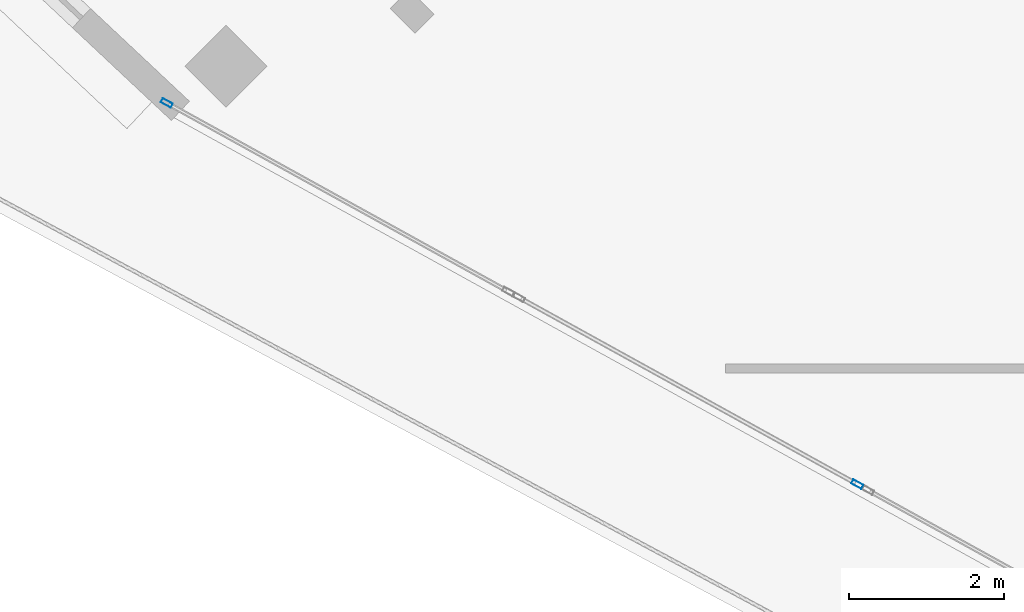
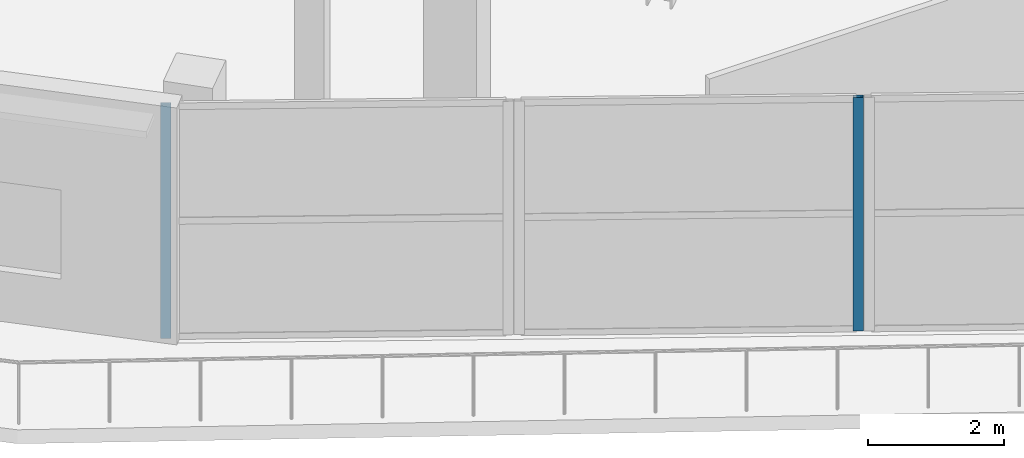
# One storey, part 16 of 107: 2 members, 2 elements without a shape of their own.
"""IFC4 building model written with IfcOpenShell, lengths in metres."""

from ifc_helpers import new_model, si_unit, direction, frame, origin, origin_2d, place, context, subcontext, project, spatial, hollow_rectangle, extrude, material, layer, layer_set, material_profile, profile_set, type_object, element, aggregate, save


model = new_model("IFC4")

# Units and contexts
model_context = context("Model", 3, precision=1e-05, world=origin(), true_north=direction((0.0, 1.0)))
body_context = subcontext(model_context, "Body", "Model", "MODEL_VIEW")
ifc_project = project(units=[si_unit("LENGTHUNIT", "METRE"), si_unit("AREAUNIT", "SQUARE_METRE"), si_unit("VOLUMEUNIT", "CUBIC_METRE"), si_unit("PLANEANGLEUNIT", "RADIAN"), si_unit("MASSUNIT", "GRAM", prefix="KILO")], contexts=[model_context])

# Site, building, storey
site_placement = place(None, origin())
site = spatial("IfcSite", under=ifc_project, at=site_placement, CompositionType="ELEMENT")
building_placement = place(site_placement, origin())
building = spatial("IfcBuilding", under=site, at=building_placement, Name="Kalgoora Escarpment Arena", CompositionType="ELEMENT")
storey_placement = place(building_placement, frame((0.0, 0.0, 5.39990234375)))
storey = spatial("IfcBuildingStorey", under=building, at=storey_placement, Name="L01", CompositionType="ELEMENT", Elevation=5.39990234375)

# Curtain wall, member
ifc_material_1 = material(Name=" Champagne anodised aluminium & double-glazed low-E", Category="aluminium")
ifc_layer_1 = layer(ifc_material_1, 0.154052734375)
ifc_layer_set_1 = layer_set([ifc_layer_1], Name="CW-UNIT-16")
curtain_wall_type_1 = type_object("IfcCurtainWallType", Name="CW-UNIT-16", PredefinedType="NOTDEFINED", material=ifc_layer_set_1)
curtain_wall_1_placement = place(storey_placement, origin())
curtain_wall_1 = element("IfcCurtainWall", 1, at=curtain_wall_1_placement, inside=storey, type_object=curtain_wall_type_1, Name="L01 unitised facade curtain wall 015", PredefinedType="NOTDEFINED")
ifc_material_2 = material(Name="Anodised aluminium 6063-T6", Category="aluminium")
ifc_material_profile = material_profile(ifc_material_2, hollow_rectangle(XDim=0.06005859375, YDim=0.14990234375, WallThickness=0.00341796875, at=origin_2d()))
ifc_profile_set = profile_set([ifc_material_profile], Name="Anodised aluminium 6063-T6")
member_type = type_object("IfcMemberType", Name="MEM-CW-MULL-150", PredefinedType="MULLION", material=ifc_profile_set)
member_1_placement = place(storey_placement, frame((39.87890625, 14.90478515625, 0.02001953125), z_axis=(0.0, 0.0, 1.0), x_axis=(-0.483332479669, -0.875436870424, 0.0)))
member_1 = element("IfcMember", 2, at=member_1_placement, type_object=member_type, Name="CW-16 mullion 1", PredefinedType="MULLION", context=body_context, shape_type="SweptSolid", body=[
    extrude(hollow_rectangle(XDim=0.06005859375, YDim=0.14990234375, WallThickness=0.00341796875, at=origin_2d()), origin(), (0.0, 0.0, 1.0), 4.190185546875),
])
aggregate(curtain_wall_1, [member_1])

ifc_material_3 = material(Name=" Champagne anodised aluminium & double-glazed low-E", Category="aluminium")
ifc_layer_2 = layer(ifc_material_3, 0.157958984375)
ifc_layer_set_2 = layer_set([ifc_layer_2], Name="CW-UNIT-17")
curtain_wall_type_2 = type_object("IfcCurtainWallType", Name="CW-UNIT-17", PredefinedType="NOTDEFINED", material=ifc_layer_set_2)
curtain_wall_2_placement = place(storey_placement, origin())
curtain_wall_2 = element("IfcCurtainWall", 3, at=curtain_wall_2_placement, inside=storey, type_object=curtain_wall_type_2, Name="L01 unitised facade curtain wall 016", PredefinedType="NOTDEFINED")
member_2_placement = place(storey_placement, frame((30.966064453125, 19.82568359375, 0.02001953125), z_axis=(0.0, 0.0, 1.0), x_axis=(-0.483358505238, -0.87542250109, 0.0)))
member_2 = element("IfcMember", 4, at=member_2_placement, type_object=member_type, Name="CW-17 mullion 2", PredefinedType="MULLION", context=body_context, shape_type="SweptSolid", body=[
    extrude(hollow_rectangle(XDim=0.06005859375, YDim=0.14990234375, WallThickness=0.00341796875, at=origin_2d()), origin(), (0.0, 0.0, 1.0), 4.190185546875),
])
aggregate(curtain_wall_2, [member_2])

save(model, "model.ifc")
